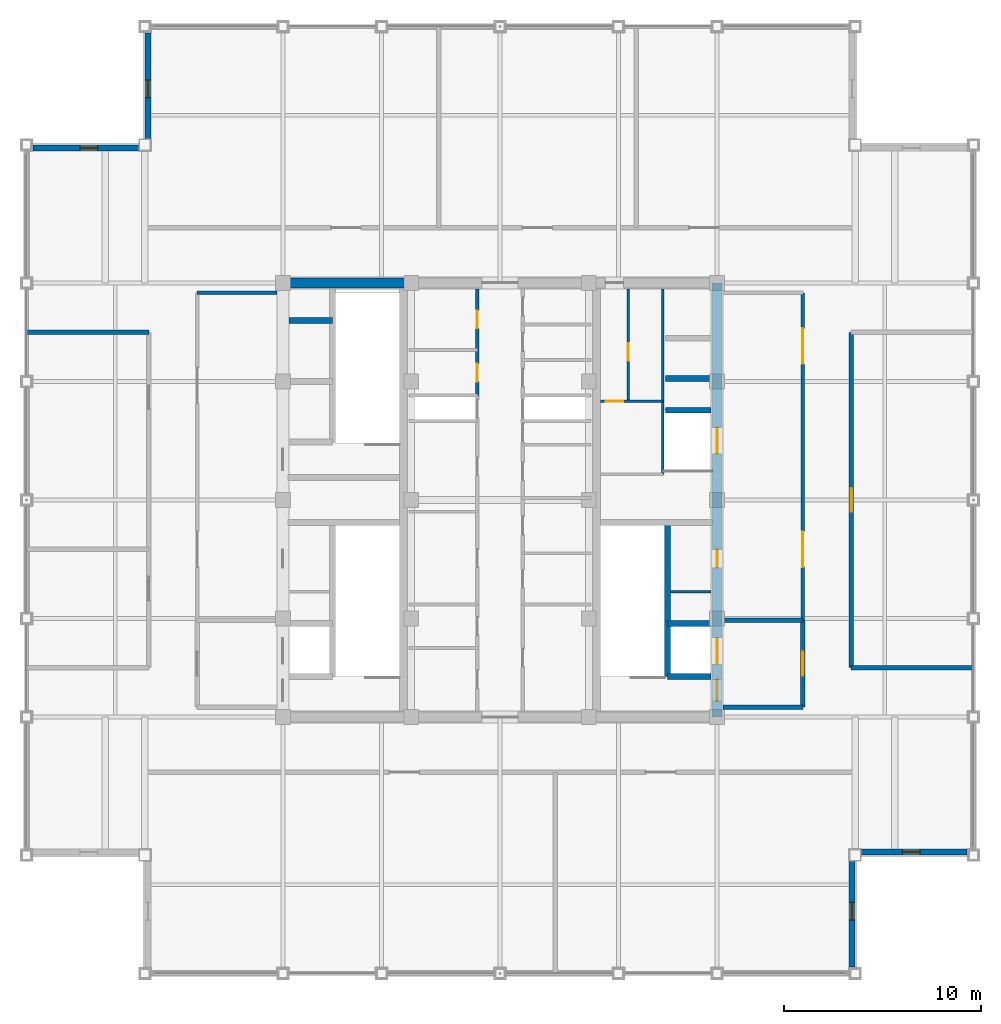
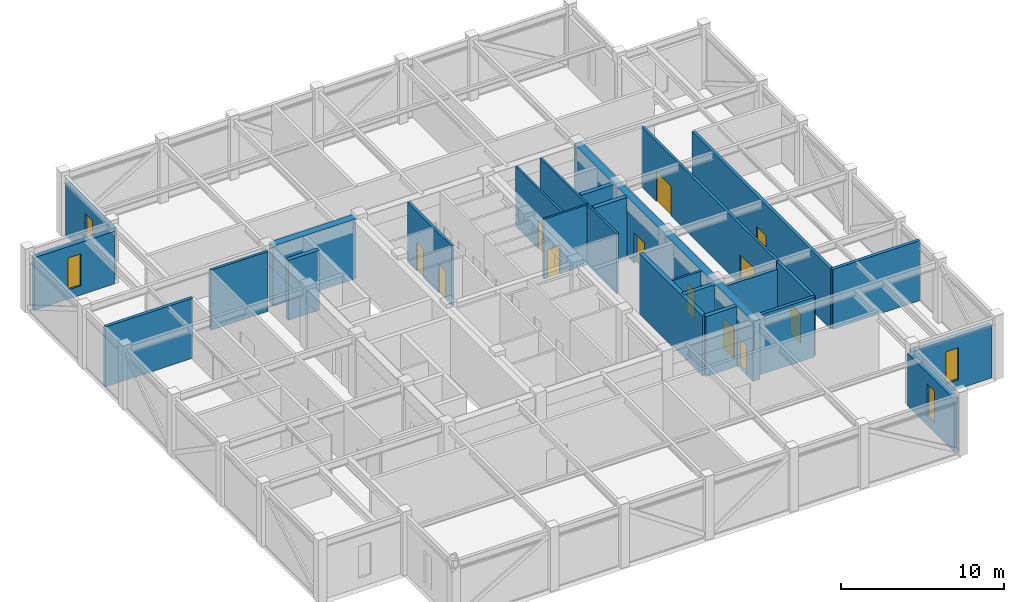
# One storey, part 25 of 27: 25 walls, 12 doors, 4 windows, 16 openings.
"""IFC4 building model written with IfcOpenShell, lengths in metres."""

import ifcopenshell
import ifcopenshell.guid

model = None  # the IFC model being written
_history = None  # IfcOwnerHistory: only IFC2X3 demands one
_inside = {}  # id of a spatial element -> (the spatial element, [elements in it])
_under = {}  # id of a project, library or spatial element -> (it, [spatial elements below it])
_declared = {}  # id of a project -> (the project, [libraries it declares])
_typed = {}  # id of a type object -> (the type object, [elements of that type])
_made_of = {}  # id of a material, layer set ... -> (it, [elements and type objects made of it])


def new_model(schema):
    """Start an empty IFC model of exactly this schema.

    Asked for "IFC4X3", IfcOpenShell would pick the latest addendum, in which some entities
    have other attributes; the version numbers below select the first issue.
    IFC2X3 requires an IfcOwnerHistory on every rooted entity: one is made here for all.
    """
    global model, _history
    if schema == "IFC4X3":
        model = ifcopenshell.file(schema_version=(4, 3, 0, 0))
    else:
        model = ifcopenshell.file(schema=schema)
    _inside.clear()
    _under.clear()
    _declared.clear()
    _typed.clear()
    _made_of.clear()
    _history = None
    if model.schema == "IFC2X3":
        org = make("IfcOrganization", Name="unknown")
        user = make(
            "IfcPersonAndOrganization",
            ThePerson=make("IfcPerson", FamilyName="unknown"),
            TheOrganization=org,
        )
        app = make(
            "IfcApplication",
            ApplicationDeveloper=org,
            Version="unknown",
            ApplicationFullName="unknown",
            ApplicationIdentifier="unknown",
        )
        _history = make(
            "IfcOwnerHistory",
            OwningUser=user,
            OwningApplication=app,
            ChangeAction="ADDED",
            CreationDate=0,
        )
    return model


def make(cls, **values):
    """One entity of the class cls with the attributes given. An attribute that is None is left unset."""
    return model.create_entity(
        cls, **{name: value for name, value in values.items() if value is not None}
    )


def rooted(cls, **values):
    """An entity with a GlobalId (a new one), such as an element, a storey or a relation."""
    return make(cls, GlobalId=ifcopenshell.guid.new(), OwnerHistory=_history, **values)


def si_unit(unit_type, name, prefix=None):
    """IfcSIUnit, for example si_unit("LENGTHUNIT", "METRE", prefix="MILLI")."""
    return make("IfcSIUnit", UnitType=unit_type, Prefix=prefix, Name=name)


def assignment(units):
    """IfcUnitAssignment: the units of a project."""
    return None if units is None else make("IfcUnitAssignment", Units=units)


def point(xyz):
    """IfcCartesianPoint."""
    return None if xyz is None else make("IfcCartesianPoint", Coordinates=xyz)


def direction(xyz):
    """IfcDirection."""
    return None if xyz is None else make("IfcDirection", DirectionRatios=xyz)


def frame(location, z_axis=None, x_axis=None):
    """IfcAxis2Placement3D, a coordinate frame: its origin and axes. An axis left out is left unset."""
    return make(
        "IfcAxis2Placement3D",
        Location=point(location),
        Axis=direction(z_axis),
        RefDirection=direction(x_axis),
    )


def frame_2d(location, x_axis=None):
    """IfcAxis2Placement2D, a coordinate frame in the plane: its origin and x axis."""
    return make(
        "IfcAxis2Placement2D", Location=point(location), RefDirection=direction(x_axis)
    )


def origin():
    """The frame at (0, 0, 0) with its axes left unset."""
    return frame((0.0, 0.0, 0.0))


def place(relative_to, where):
    """IfcLocalPlacement: puts the frame where relative to a parent placement (None: the world)."""
    return make(
        "IfcLocalPlacement", PlacementRelTo=relative_to, RelativePlacement=where
    )


def context(
    kind, dimensions, precision=None, world=None, true_north=None, identifier=None
):
    """IfcGeometricRepresentationContext, for example the 3D "Model" context."""
    return make(
        "IfcGeometricRepresentationContext",
        ContextIdentifier=identifier,
        ContextType=kind,
        CoordinateSpaceDimension=dimensions,
        Precision=precision,
        WorldCoordinateSystem=world,
        TrueNorth=true_north,
    )


def subcontext(parent, identifier, kind, view, scale=None):
    """IfcGeometricRepresentationSubContext, for example "Body" below "Model"."""
    return make(
        "IfcGeometricRepresentationSubContext",
        ContextIdentifier=identifier,
        ContextType=kind,
        ParentContext=parent,
        TargetScale=scale,
        TargetView=view,
    )


def project(units=None, contexts=None):
    """IfcProject with its units and contexts."""
    return rooted(
        "IfcProject",
        Name="project",
        RepresentationContexts=contexts,
        UnitsInContext=assignment(units),
    )


def spatial(cls, under=None, at=None, **own):
    """A site, building, storey or space (cls), placed at a placement, below another one or the project."""
    s = rooted(cls, ObjectPlacement=at, **own)
    if under is not None:
        _under.setdefault(under.id(), (under, []))[1].append(s)
    return s


def profile(cls, at=None, kind="AREA", **sizes):
    """A parametric profile (cls). Its sizes go by their IFC names, for example OverallWidth=200.0."""
    return make(cls, ProfileType=kind, Position=at, **sizes)


def rectangle(**sizes):
    """IfcRectangleProfileDef."""
    return profile("IfcRectangleProfileDef", **sizes)


def extrude(swept, where, along, depth):
    """IfcExtrudedAreaSolid: the profile swept, set in the frame where, extruded along a direction by depth."""
    return make(
        "IfcExtrudedAreaSolid",
        SweptArea=swept,
        Position=where,
        ExtrudedDirection=direction(along),
        Depth=depth,
    )


def shape(context_of_items, identifier, shape_type, items):
    """IfcShapeRepresentation: the items that make up one representation, for example the "Body"."""
    return make(
        "IfcShapeRepresentation",
        ContextOfItems=context_of_items,
        RepresentationIdentifier=identifier,
        RepresentationType=shape_type,
        Items=items,
    )


def source(mapping_origin, context_of_items, identifier, shape_type, items):
    """IfcRepresentationMap: a shape defined once, which mapped items show again and again."""
    return make(
        "IfcRepresentationMap",
        MappingOrigin=mapping_origin,
        MappedRepresentation=shape(context_of_items, identifier, shape_type, items),
    )


def transform(
    local_origin,
    x_axis=None,
    y_axis=None,
    z_axis=None,
    scale=None,
    scale2=None,
    scale3=None,
    uniform=True,
):
    """IfcCartesianTransformationOperator3D, or its non-uniform kind. x_axis, y_axis, z_axis: its Axis1, 2, 3."""
    if uniform:
        return make(
            "IfcCartesianTransformationOperator3D",
            Axis1=direction(x_axis),
            Axis2=direction(y_axis),
            LocalOrigin=point(local_origin),
            Scale=scale,
            Axis3=direction(z_axis),
        )
    return make(
        "IfcCartesianTransformationOperator3DnonUniform",
        Axis1=direction(x_axis),
        Axis2=direction(y_axis),
        LocalOrigin=point(local_origin),
        Scale=scale,
        Axis3=direction(z_axis),
        Scale2=scale2,
        Scale3=scale3,
    )


def mapped(mapping_source, mapping_target):
    """IfcMappedItem: shows the shape of a source again, moved by a transform."""
    return make(
        "IfcMappedItem", MappingSource=mapping_source, MappingTarget=mapping_target
    )


def material(Name=None, Category=None):
    """IfcMaterial."""
    return make("IfcMaterial", Name=Name, Category=Category)


def layer(
    of_material, thickness, ventilated=None, Name=None, Category=None, Priority=None
):
    """IfcMaterialLayer: one layer of a wall or slab, of a material (None: an air gap)."""
    return make(
        "IfcMaterialLayer",
        Material=of_material,
        LayerThickness=thickness,
        IsVentilated=ventilated,
        Name=Name,
        Category=Category,
        Priority=Priority,
    )


def layer_set(layers, Name=None):
    """IfcMaterialLayerSet."""
    return make("IfcMaterialLayerSet", MaterialLayers=layers, LayerSetName=Name)


def made_of(thing, what):
    """Note that an element or type object is made of a material, layer set ...; save() writes the relation."""
    if what is not None:
        _made_of.setdefault(what.id(), (what, []))[1].append(thing)
    return thing


def type_object(cls, material=None, **own):
    """A type object (cls), such as IfcWallType, which elements share."""
    return made_of(rooted(cls, **own), material)


def element(
    cls,
    number,
    at=None,
    inside=None,
    cuts=None,
    type_object=None,
    material=None,
    context=None,
    identifier="Body",
    shape_type=None,
    held_by="IfcProductDefinitionShape",
    body=None,
    shapes=None,
    **own,
):
    """One element of the class cls, such as IfcWall. Its Tag is "e" and its number.

    at: its placement. inside: the storey or other place that contains it. cuts: it is an
    opening in that element (IfcRelVoidsElement). A single representation is given by context,
    identifier, shape_type and body (its items); several are given by shapes. held_by: the class
    of the entity that holds the representations. save() writes the other relations.
    """
    e = rooted(cls, Tag="e%d" % number, ObjectPlacement=at, **own)
    if body is not None:
        shapes = [shape(context, identifier, shape_type, body)]
    if shapes is not None:
        e.Representation = make(held_by, Representations=shapes)
    if inside is not None:
        _inside.setdefault(inside.id(), (inside, []))[1].append(e)
    if cuts is not None:
        rooted(
            "IfcRelVoidsElement", RelatingBuildingElement=cuts, RelatedOpeningElement=e
        )
    if type_object is not None:
        _typed.setdefault(type_object.id(), (type_object, []))[1].append(e)
    return made_of(e, material)


def fill(opening, filler):
    """IfcRelFillsElement: the door or window that sits in an opening."""
    return rooted(
        "IfcRelFillsElement",
        RelatingOpeningElement=opening,
        RelatedBuildingElement=filler,
    )


def aggregate(whole, parts):
    """IfcRelAggregates: a whole, such as a stair, and the parts it consists of."""
    return rooted("IfcRelAggregates", RelatingObject=whole, RelatedObjects=parts)


def save(model, path):
    """Write the relations noted so far, then the file.

    IfcRelAggregates (storeys below a building ...), IfcRelContainedInSpatialStructure (elements
    in a storey), IfcRelDefinesByType, IfcRelAssociatesMaterial and IfcRelDeclares: one each for
    every whole, place, type object, material and project.
    """
    for whole, parts in _under.values():
        aggregate(whole, parts)
    for where, things in _inside.values():
        rooted(
            "IfcRelContainedInSpatialStructure",
            RelatedElements=things,
            RelatingStructure=where,
        )
    for kind, things in _typed.values():
        rooted("IfcRelDefinesByType", RelatedObjects=things, RelatingType=kind)
    for what, things in _made_of.values():
        rooted("IfcRelAssociatesMaterial", RelatedObjects=things, RelatingMaterial=what)
    for by, libraries in _declared.values():
        rooted("IfcRelDeclares", RelatingContext=by, RelatedDefinitions=libraries)
    model.write(path)


model = new_model("IFC4")

# Units and contexts
model_context = context("Model", 3, precision=1e-05, world=origin(), true_north=direction((0.0, 1.0)))
body_context = subcontext(model_context, "Body", "Model", "MODEL_VIEW")
ifc_project = project(units=[si_unit("LENGTHUNIT", "METRE"), si_unit("AREAUNIT", "SQUARE_METRE"), si_unit("VOLUMEUNIT", "CUBIC_METRE"), si_unit("PLANEANGLEUNIT", "RADIAN"), si_unit("MASSUNIT", "GRAM", prefix="KILO")], contexts=[model_context])

# Site, building, storey
site_placement = place(None, origin())
site = spatial("IfcSite", under=ifc_project, at=site_placement, CompositionType="ELEMENT")
building_placement = place(site_placement, origin())
building = spatial("IfcBuilding", under=site, at=building_placement, Name="Khorayat Bourse Tower", CompositionType="ELEMENT")
storey_placement = place(building_placement, frame((0.0, 0.0, 399.5)))
storey = spatial("IfcBuildingStorey", under=building, at=storey_placement, Name="L94", CompositionType="ELEMENT", Elevation=399.5)

# Wall, openings, doors
ifc_material_1 = material(Name="Concrete C52/65", Category="concrete")
ifc_layer_1 = layer(ifc_material_1, 0.5)
ifc_layer_set_1 = layer_set([ifc_layer_1], Name="Concrete C52/65")
wall_type_1 = type_object("IfcWallType", Name="WAL-CORE-500", PredefinedType="SHEAR", material=ifc_layer_set_1)
shared_shape_1 = source(origin(), body_context, "Body", "SweptSolid", [
    extrude(rectangle(XDim=22.0, YDim=0.5, at=frame_2d((11.0, 0.0))), origin(), (0.0, 0.0, 1.0), 4.5),
])
wall_1_placement = place(storey_placement, frame((11.0, -11.0, 0.0), z_axis=(0.0, 0.0, 1.0), x_axis=(0.0, 1.0, 0.0)))
wall_1 = element("IfcWall", 1, at=wall_1_placement, inside=storey, type_object=wall_type_1, Name="L94 Core Shear Wall CORE-E", PredefinedType="SHEAR", context=body_context, shape_type="MappedRepresentation", body=[
    mapped(shared_shape_1, transform((0.0, 0.0, 0.0), scale=1.0)),
])
shared_shape_2 = source(origin(), body_context, "Body", "SweptSolid", [
    extrude(rectangle(XDim=1.10009765625, YDim=2.199951171875, at=frame_2d((0.550048828125, 1.10009765625))), frame((0.0, 0.260009765625, 0.0), z_axis=(0.0, -1.0, 0.0), x_axis=(1.0, 0.0, 0.0)), (0.0, 0.0, 1.0), 0.52001953125),
])
opening_1_placement = place(wall_1_placement, frame((0.800048828125, 0.0, 0.0)))
opening_1 = element("IfcOpeningElement", 2, at=opening_1_placement, cuts=wall_1, Name="Opening DI-01", PredefinedType="OPENING", context=body_context, shape_type="MappedRepresentation", body=[
    mapped(shared_shape_2, transform((0.0, 0.0, 0.0), scale=1.0)),
])
shared_shape_3 = source(origin(), body_context, "Body", "SweptSolid", [
    extrude(rectangle(XDim=0.89990234375, YDim=2.14990234375, at=frame_2d((0.449951171875, 1.074951171875))), frame((0.0, 0.260009765625, 0.0), z_axis=(0.0, -1.0, 0.0), x_axis=(1.0, 0.0, 0.0)), (0.0, 0.0, 1.0), 0.52001953125),
])
opening_2_placement = place(wall_1_placement, frame((7.574951171875, 0.0, 0.0)))
opening_2 = element("IfcOpeningElement", 3, at=opening_2_placement, cuts=wall_1, Name="Opening DI-06", PredefinedType="OPENING", context=body_context, shape_type="MappedRepresentation", body=[
    mapped(shared_shape_3, transform((0.0, 0.0, 0.0), scale=1.0)),
])
shared_shape_4 = source(origin(), body_context, "Body", "SweptSolid", [
    extrude(rectangle(XDim=1.300048828125, YDim=2.300048828125, at=frame_2d((0.64990234375, 1.14990234375))), frame((0.0, 0.260009765625, 0.0), z_axis=(0.0, -1.0, 0.0), x_axis=(1.0, 0.0, 0.0)), (0.0, 0.0, 1.0), 0.52001953125),
])
opening_3_placement = place(wall_1_placement, frame((2.699951171875, 0.0, 0.0)))
opening_3 = element("IfcOpeningElement", 4, at=opening_3_placement, cuts=wall_1, Name="Opening LD-02", PredefinedType="OPENING", context=body_context, shape_type="MappedRepresentation", body=[
    mapped(shared_shape_4, transform((0.0, 0.0, 0.0), scale=1.0)),
])
opening_4_placement = place(wall_1_placement, frame((13.35009765625, 0.0, 0.0)))
opening_4 = element("IfcOpeningElement", 5, at=opening_4_placement, cuts=wall_1, Name="Opening LD-02", PredefinedType="OPENING", context=body_context, shape_type="MappedRepresentation", body=[
    mapped(shared_shape_4, transform((0.0, 0.0, 0.0), scale=1.0)),
])
ifc_material_2 = material(Name="Fire-rated steel acoustic leaf", Category="steel")
door_type_1 = type_object("IfcDoorType", Name="DR-INT-STAIR-1100", OperationType="NOTDEFINED", PredefinedType="DOOR", material=ifc_material_2)
shared_shape_5 = source(origin(), body_context, "Body", "SweptSolid", [
    extrude(rectangle(XDim=1.10009765625, YDim=2.199951171875, at=frame_2d((0.550048828125, 1.10009765625))), frame((0.0, 0.02490234375, 0.0), z_axis=(0.0, -1.0, 0.0), x_axis=(1.0, 0.0, 0.0)), (0.0, 0.0, 1.0), 0.050048828125),
])
door_1_placement = place(opening_1_placement, origin())
door_1 = element("IfcDoor", 6, at=door_1_placement, inside=storey, type_object=door_type_1, Name="L94 Exit Stair 3 Door", OperationType="SINGLE_SWING_LEFT", OverallHeight=2.199951171875, OverallWidth=1.10009765625, PredefinedType="DOOR", context=body_context, shape_type="MappedRepresentation", body=[
    mapped(shared_shape_5, transform((0.0, 0.0, 0.0), scale=1.0)),
])
fill(opening_1, door_1)
ifc_material_3 = material(Name="Moisture-resistant laminate washroom door")
door_type_2 = type_object("IfcDoorType", Name="DR-INT-WC-900", OperationType="NOTDEFINED", PredefinedType="DOOR", material=ifc_material_3)
shared_shape_6 = source(origin(), body_context, "Body", "SweptSolid", [
    extrude(rectangle(XDim=0.89990234375, YDim=2.14990234375, at=frame_2d((0.449951171875, 1.074951171875))), frame((0.0, 0.02490234375, 0.0), z_axis=(0.0, -1.0, 0.0), x_axis=(1.0, 0.0, 0.0)), (0.0, 0.0, 1.0), 0.050048828125),
])
door_2_placement = place(opening_2_placement, origin())
door_2 = element("IfcDoor", 7, at=door_2_placement, inside=storey, type_object=door_type_2, Name="L94 Fiber Server Plant Room Door", OperationType="SINGLE_SWING_LEFT", OverallHeight=2.14990234375, OverallWidth=0.89990234375, PredefinedType="DOOR", context=body_context, shape_type="MappedRepresentation", body=[
    mapped(shared_shape_6, transform((0.0, 0.0, 0.0), scale=1.0)),
])
fill(opening_2, door_2)
ifc_material_4 = material(Name="Fire-rated stainless-steel sliding landing door", Category="steel")
door_type_3 = type_object("IfcDoorType", Name="DR-LIFT-FF-1300", OperationType="NOTDEFINED", PredefinedType="DOOR", material=ifc_material_4)
shared_shape_7 = source(origin(), body_context, "Body", "SweptSolid", [
    extrude(rectangle(XDim=1.300048828125, YDim=2.300048828125, at=frame_2d((0.64990234375, 1.14990234375))), frame((0.0, 0.02490234375, 0.0), z_axis=(0.0, -1.0, 0.0), x_axis=(1.0, 0.0, 0.0)), (0.0, 0.0, 1.0), 0.050048828125),
])
door_3_placement = place(opening_3_placement, origin())
door_3 = element("IfcDoor", 8, at=door_3_placement, inside=storey, type_object=door_type_3, Name="L94 Lift FFL-02 Sliding Landing Door", OperationType="SLIDING_TO_LEFT", OverallHeight=2.300048828125, OverallWidth=1.300048828125, PredefinedType="DOOR", context=body_context, shape_type="MappedRepresentation", body=[
    mapped(shared_shape_7, transform((0.0, 0.0, 0.0), scale=1.0)),
])
fill(opening_3, door_3)
door_4_placement = place(opening_4_placement, origin())
door_4 = element("IfcDoor", 9, at=door_4_placement, inside=storey, type_object=door_type_3, Name="L94 Lift SVL-01 Sliding Landing Door", OperationType="SLIDING_TO_LEFT", OverallHeight=2.300048828125, OverallWidth=1.300048828125, PredefinedType="DOOR", context=body_context, shape_type="MappedRepresentation", body=[
    mapped(shared_shape_7, transform((0.0, 0.0, 0.0), scale=1.0)),
])
fill(opening_4, door_4)

# Wall
shared_shape_8 = source(origin(), body_context, "Body", "SweptSolid", [
    extrude(rectangle(XDim=5.89990234375, YDim=0.5, at=frame_2d((2.949951171875, 0.0))), origin(), (0.0, 0.0, 1.0), 4.5),
])
wall_2_placement = place(storey_placement, frame((-10.75, 11.0, 0.0), z_axis=(0.0, 0.0, 1.0), x_axis=(1.0, 0.0, 0.0)))
element("IfcWall", 10, at=wall_2_placement, inside=storey, type_object=wall_type_1, Name="L94 Core Shear Wall PIER-WN", PredefinedType="SHEAR", context=body_context, shape_type="MappedRepresentation", body=[
    mapped(shared_shape_8, transform((0.0, 0.0, 0.0), scale=1.0)),
])

# Wall, opening, window
ifc_material_5 = material(Name="Precast concrete C45/55", Category="concrete")
ifc_layer_2 = layer(ifc_material_5, 0.320068359375)
ifc_layer_set_2 = layer_set([ifc_layer_2], Name="Precast concrete C45/55")
wall_type_2 = type_object("IfcWallType", Name="WAL-EXT-STONE-320", PredefinedType="STANDARD", material=ifc_layer_set_2)
shared_shape_9 = source(origin(), body_context, "Body", "SweptSolid", [
    extrude(rectangle(XDim=5.679931640625, YDim=0.320068359375, at=frame_2d((2.83984375, 0.0))), origin(), (0.0, 0.0, 1.0), 3.950927734375),
])
wall_3_placement = place(storey_placement, frame((17.840087890625, -23.679931640625, 0.0), z_axis=(0.0, 0.0, 1.0), x_axis=(0.0, 1.0, 0.0)))
wall_3 = element("IfcWall", 11, at=wall_3_placement, inside=storey, type_object=wall_type_2, Name="L94 Re-Entrant Notch Limestone Wall SE-V", PredefinedType="STANDARD", context=body_context, shape_type="MappedRepresentation", body=[
    mapped(shared_shape_9, transform((0.0, 0.0, 0.0), scale=1.0)),
])
shared_shape_10 = source(origin(), body_context, "Body", "SweptSolid", [
    extrude(rectangle(XDim=0.89990234375, YDim=2.39990234375, at=frame_2d((0.449951171875, 1.199951171875))), frame((0.0, 0.169921875, 0.0), z_axis=(0.0, -1.0, 0.0), x_axis=(1.0, 0.0, 0.0)), (0.0, 0.0, 1.0), 0.340087890625),
])
opening_5_placement = place(wall_3_placement, frame((2.389892578125, 0.0, 0.699951171875)))
opening_5 = element("IfcOpeningElement", 12, at=opening_5_placement, cuts=wall_3, Name="Opening WN-03", PredefinedType="OPENING", context=body_context, shape_type="MappedRepresentation", body=[
    mapped(shared_shape_10, transform((0.0, 0.0, 0.0), scale=1.0)),
])
ifc_material_6 = material(Name="Deep-reveal solar-control double glazing", Category="glass")
window_type = type_object("IfcWindowType", Name="WIN-SLOT-900x2400", PartitioningType="SINGLE_PANEL", PredefinedType="WINDOW", material=ifc_material_6)
shared_shape_11 = source(origin(), body_context, "Body", "SweptSolid", [
    extrude(rectangle(XDim=0.89990234375, YDim=2.39990234375, at=frame_2d((0.449951171875, 1.199951171875))), frame((0.0, 0.030029296875, 0.0), z_axis=(0.0, -1.0, 0.0), x_axis=(1.0, 0.0, 0.0)), (0.0, 0.0, 1.0), 0.06005859375),
])
window_1_placement = place(opening_5_placement, origin())
window_1 = element("IfcWindow", 13, at=window_1_placement, inside=storey, type_object=window_type, Name="L94 Facade Window 1", OverallHeight=2.39990234375, OverallWidth=0.89990234375, PartitioningType="SINGLE_PANEL", PredefinedType="WINDOW", context=body_context, shape_type="MappedRepresentation", body=[
    mapped(shared_shape_11, transform((0.0, 0.0, 0.0), scale=1.0)),
])
fill(opening_5, window_1)

wall_4_placement = place(storey_placement, frame((18.0, -17.840087890625, 0.0), z_axis=(0.0, 0.0, 1.0), x_axis=(1.0, 0.0, 0.0)))
wall_4 = element("IfcWall", 14, at=wall_4_placement, inside=storey, type_object=wall_type_2, Name="L94 Re-Entrant Notch Limestone Wall SE-H", PredefinedType="STANDARD", context=body_context, shape_type="MappedRepresentation", body=[
    mapped(shared_shape_9, transform((0.0, 0.0, 0.0), scale=1.0)),
])
opening_6_placement = place(wall_4_placement, frame((2.389892578125, 0.0, 0.699951171875)))
opening_6 = element("IfcOpeningElement", 15, at=opening_6_placement, cuts=wall_4, Name="Opening WN-03", PredefinedType="OPENING", context=body_context, shape_type="MappedRepresentation", body=[
    mapped(shared_shape_10, transform((0.0, 0.0, 0.0), scale=1.0)),
])
window_2_placement = place(opening_6_placement, origin())
window_2 = element("IfcWindow", 16, at=window_2_placement, inside=storey, type_object=window_type, Name="L94 Facade Window 1", OverallHeight=2.39990234375, OverallWidth=0.89990234375, PartitioningType="SINGLE_PANEL", PredefinedType="WINDOW", context=body_context, shape_type="MappedRepresentation", body=[
    mapped(shared_shape_11, transform((0.0, 0.0, 0.0), scale=1.0)),
])
fill(opening_6, window_2)

wall_5_placement = place(storey_placement, frame((-17.840087890625, 18.0, 0.0), z_axis=(0.0, 0.0, 1.0), x_axis=(0.0, 1.0, 0.0)))
wall_5 = element("IfcWall", 17, at=wall_5_placement, inside=storey, type_object=wall_type_2, Name="L94 Re-Entrant Notch Limestone Wall NW-V", PredefinedType="STANDARD", context=body_context, shape_type="MappedRepresentation", body=[
    mapped(shared_shape_9, transform((0.0, 0.0, 0.0), scale=1.0)),
])
opening_7_placement = place(wall_5_placement, frame((2.389892578125, 0.0, 0.699951171875)))
opening_7 = element("IfcOpeningElement", 18, at=opening_7_placement, cuts=wall_5, Name="Opening WN-03", PredefinedType="OPENING", context=body_context, shape_type="MappedRepresentation", body=[
    mapped(shared_shape_10, transform((0.0, 0.0, 0.0), scale=1.0)),
])
window_3_placement = place(opening_7_placement, origin())
window_3 = element("IfcWindow", 19, at=window_3_placement, inside=storey, type_object=window_type, Name="L94 Facade Window 1", OverallHeight=2.39990234375, OverallWidth=0.89990234375, PartitioningType="SINGLE_PANEL", PredefinedType="WINDOW", context=body_context, shape_type="MappedRepresentation", body=[
    mapped(shared_shape_11, transform((0.0, 0.0, 0.0), scale=1.0)),
])
fill(opening_7, window_3)

wall_6_placement = place(storey_placement, frame((-18.0, 17.840087890625, 0.0), z_axis=(0.0, 0.0, 1.0), x_axis=(-1.0, 0.0, 0.0)))
wall_6 = element("IfcWall", 20, at=wall_6_placement, inside=storey, type_object=wall_type_2, Name="L94 Re-Entrant Notch Limestone Wall NW-H", PredefinedType="STANDARD", context=body_context, shape_type="MappedRepresentation", body=[
    mapped(shared_shape_9, transform((0.0, 0.0, 0.0), scale=1.0)),
])
opening_8_placement = place(wall_6_placement, frame((2.389892578125, 0.0, 0.699951171875)))
opening_8 = element("IfcOpeningElement", 21, at=opening_8_placement, cuts=wall_6, Name="Opening WN-03", PredefinedType="OPENING", context=body_context, shape_type="MappedRepresentation", body=[
    mapped(shared_shape_10, transform((0.0, 0.0, 0.0), scale=1.0)),
])
window_4_placement = place(opening_8_placement, origin())
window_4 = element("IfcWindow", 22, at=window_4_placement, inside=storey, type_object=window_type, Name="L94 Facade Window 1", OverallHeight=2.39990234375, OverallWidth=0.89990234375, PartitioningType="SINGLE_PANEL", PredefinedType="WINDOW", context=body_context, shape_type="MappedRepresentation", body=[
    mapped(shared_shape_11, transform((0.0, 0.0, 0.0), scale=1.0)),
])
fill(opening_8, window_4)

# Walls
ifc_material_7 = material(Name="Concrete C50/60", Category="concrete")
ifc_layer_3 = layer(ifc_material_7, 0.300048828125)
ifc_layer_set_3 = layer_set([ifc_layer_3], Name="Concrete C50/60")
wall_type_3 = type_object("IfcWallType", Name="WAL-SHAFT-300", PredefinedType="SHEAR", material=ifc_layer_set_3)
shared_shape_12 = source(origin(), body_context, "Body", "SweptSolid", [
    extrude(rectangle(XDim=7.800048828125, YDim=0.300048828125, at=frame_2d((3.89990234375, 0.0))), origin(), (0.0, 0.0, 1.0), 4.5),
])
wall_7_placement = place(storey_placement, frame((8.5, -8.949951171875, 0.0), z_axis=(0.0, 0.0, 1.0), x_axis=(0.0, 1.0, 0.0)))
element("IfcWall", 23, at=wall_7_placement, inside=storey, type_object=wall_type_3, Name="L94 Partition WAL-L94-EPIER-SP", PredefinedType="SHEAR", context=body_context, shape_type="MappedRepresentation", body=[
    mapped(shared_shape_12, transform((0.0, 0.0, 0.0), scale=1.0)),
])
shared_shape_13 = source(origin(), body_context, "Body", "SweptSolid", [
    extrude(rectangle(XDim=2.199951171875, YDim=0.300048828125, at=frame_2d((1.10009765625, 0.0))), origin(), (0.0, 0.0, 1.0), 4.5),
])
for number, where, z_axis, x_axis, name in (
    (24, (-10.699951171875, 9.10009765625, 0.0), (0.0, 0.0, 1.0), (1.0, 0.0, 0.0), "L94 Partition WAL-L94-WPIER-H2N"),
    (25, (8.5, -8.949951171875, 0.0), (0.0, 0.0, 1.0), (1.0, 0.0, 0.0), "L94 Partition WAL-L94-EPIER-FF2S"),
    (26, (8.5, -6.25, 0.0), (0.0, 0.0, 1.0), (1.0, 0.0, 0.0), "L94 Partition WAL-L94-EPIER-FF2N"),
):
    element("IfcWall", number, at=place(storey_placement, frame(where, z_axis=z_axis, x_axis=x_axis)), inside=storey, type_object=wall_type_3, Name=name, PredefinedType="SHEAR", context=body_context, shape_type="MappedRepresentation", body=[
        mapped(shared_shape_13, transform((0.0, 0.0, 0.0), scale=1.0)),
    ])
shared_shape_14 = source(origin(), body_context, "Body", "SweptSolid", [
    extrude(rectangle(XDim=2.300048828125, YDim=0.300048828125, at=frame_2d((1.14990234375, 0.0))), origin(), (0.0, 0.0, 1.0), 4.5),
])
for number, where, z_axis, x_axis, name in (
    (27, (8.39990234375, 4.550048828125, 0.0), (0.0, 0.0, 1.0), (1.0, 0.0, 0.0), "L94 Partition WAL-L94-EPIER-SVLN"),
    (28, (8.39990234375, 6.14990234375, 0.0), (0.0, 0.0, 1.0), (1.0, 0.0, 0.0), "L94 Partition WAL-L94-EPIER-H3S"),
):
    element("IfcWall", number, at=place(storey_placement, frame(where, z_axis=z_axis, x_axis=x_axis)), inside=storey, type_object=wall_type_3, Name=name, PredefinedType="SHEAR", context=body_context, shape_type="MappedRepresentation", body=[
        mapped(shared_shape_14, transform((0.0, 0.0, 0.0), scale=1.0)),
    ])
ifc_material_8 = material(Name="Gypsum plasterboard twin-frame partition")
ifc_layer_4 = layer(ifc_material_8, 0.14990234375)
ifc_layer_set_4 = layer_set([ifc_layer_4], Name="Gypsum plasterboard twin-frame partition")
wall_type_4 = type_object("IfcWallType", Name="WAL-PART-SUITE-150", PredefinedType="PARTITIONING", material=ifc_layer_set_4)
shared_shape_15 = source(origin(), body_context, "Body", "SweptSolid", [
    extrude(rectangle(XDim=2.050048828125, YDim=0.14990234375, at=frame_2d((1.02490234375, 0.0))), origin(), (0.0, 0.0, 1.0), 4.5),
])
wall_8_placement = place(storey_placement, frame((8.64990234375, -4.64990234375, 0.0), z_axis=(0.0, 0.0, 1.0), x_axis=(1.0, 0.0, 0.0)))
element("IfcWall", 29, at=wall_8_placement, inside=storey, type_object=wall_type_4, Name="L94 Partition WAL-L94-ESRV-S0", PredefinedType="PARTITIONING", context=body_context, shape_type="MappedRepresentation", body=[
    mapped(shared_shape_15, transform((0.0, 0.0, 0.0), scale=1.0)),
])
ifc_material_9 = material(Name="Moisture-resistant masonry partition", Category="masonry")
ifc_layer_5 = layer(ifc_material_9, 0.139892578125)
ifc_layer_set_5 = layer_set([ifc_layer_5], Name="Moisture-resistant masonry partition")
wall_type_5 = type_object("IfcWallType", Name="WAL-PART-WET-140", PredefinedType="PARTITIONING", material=ifc_layer_set_5)
shared_shape_16 = source(origin(), body_context, "Body", "SweptSolid", [
    extrude(rectangle(XDim=9.39990234375, YDim=0.139892578125, at=frame_2d((4.699951171875, 0.0))), origin(), (0.0, 0.0, 1.0), 4.5),
])
wall_9_placement = place(storey_placement, frame((8.25, 1.300048828125, 0.0), z_axis=(0.0, 0.0, 1.0), x_axis=(0.0, 1.0, 0.0)))
element("IfcWall", 30, at=wall_9_placement, inside=storey, type_object=wall_type_5, Name="L94 Partition WAL-L94-ECORE-E", PredefinedType="PARTITIONING", context=body_context, shape_type="MappedRepresentation", body=[
    mapped(shared_shape_16, transform((0.0, 0.0, 0.0), scale=1.0)),
])

# Wall, opening, door
shared_shape_17 = source(origin(), body_context, "Body", "SweptSolid", [
    extrude(rectangle(XDim=3.14990234375, YDim=0.139892578125, at=frame_2d((1.574951171875, 0.0))), origin(), (0.0, 0.0, 1.0), 4.5),
])
wall_10_placement = place(storey_placement, frame((5.10009765625, 5.0, 0.0), z_axis=(0.0, 0.0, 1.0), x_axis=(1.0, 0.0, 0.0)))
wall_10 = element("IfcWall", 31, at=wall_10_placement, inside=storey, type_object=wall_type_5, Name="L94 Partition WAL-L94-ECW-BOT", PredefinedType="PARTITIONING", context=body_context, shape_type="MappedRepresentation", body=[
    mapped(shared_shape_17, transform((0.0, 0.0, 0.0), scale=1.0)),
])
shared_shape_18 = source(origin(), body_context, "Body", "SweptSolid", [
    extrude(rectangle(XDim=0.89990234375, YDim=2.14990234375, at=frame_2d((0.449951171875, 1.074951171875))), frame((0.0, 0.079833984375, 0.0), z_axis=(0.0, -1.0, 0.0), x_axis=(1.0, 0.0, 0.0)), (0.0, 0.0, 1.0), 0.159912109375),
])
opening_9_placement = place(wall_10_placement, frame((0.25, 0.0, 0.0)))
opening_9 = element("IfcOpeningElement", 32, at=opening_9_placement, cuts=wall_10, Name="Opening DI-06", PredefinedType="OPENING", context=body_context, shape_type="MappedRepresentation", body=[
    mapped(shared_shape_18, transform((0.0, 0.0, 0.0), scale=1.0)),
])
door_5_placement = place(opening_9_placement, origin())
door_5 = element("IfcDoor", 33, at=door_5_placement, inside=storey, type_object=door_type_2, Name="L94 Shared Washroom Door", OperationType="SINGLE_SWING_LEFT", OverallHeight=2.14990234375, OverallWidth=0.89990234375, PredefinedType="DOOR", context=body_context, shape_type="MappedRepresentation", body=[
    mapped(shared_shape_6, transform((0.0, 0.0, 0.0), scale=1.0)),
])
fill(opening_9, door_5)

shared_shape_19 = source(origin(), body_context, "Body", "SweptSolid", [
    extrude(rectangle(XDim=5.699951171875, YDim=0.139892578125, at=frame_2d((2.85009765625, 0.0))), origin(), (0.0, 0.0, 1.0), 4.5),
])
wall_11_placement = place(storey_placement, frame((6.5, 5.0, 0.0), z_axis=(0.0, 0.0, 1.0), x_axis=(0.0, 1.0, 0.0)))
wall_11 = element("IfcWall", 34, at=wall_11_placement, inside=storey, type_object=wall_type_5, Name="L94 Partition WAL-L94-ECW-MID", PredefinedType="PARTITIONING", context=body_context, shape_type="MappedRepresentation", body=[
    mapped(shared_shape_19, transform((0.0, 0.0, 0.0), scale=1.0)),
])
opening_10_placement = place(wall_11_placement, frame((2.050048828125, 0.0, 0.0)))
opening_10 = element("IfcOpeningElement", 35, at=opening_10_placement, cuts=wall_11, Name="Opening DI-06", PredefinedType="OPENING", context=body_context, shape_type="MappedRepresentation", body=[
    mapped(shared_shape_18, transform((0.0, 0.0, 0.0), scale=1.0)),
])
door_6_placement = place(opening_10_placement, origin())
door_6 = element("IfcDoor", 36, at=door_6_placement, inside=storey, type_object=door_type_2, Name="L94 Accessible WC Door", OperationType="SINGLE_SWING_RIGHT", OverallHeight=2.14990234375, OverallWidth=0.89990234375, PredefinedType="DOOR", context=body_context, shape_type="MappedRepresentation", body=[
    mapped(shared_shape_6, transform((0.0, 0.0, 0.0), scale=1.0)),
])
fill(opening_10, door_6)

# Walls
ifc_material_10 = material(Name="Aerated concrete blockwork", Category="masonry")
ifc_layer_6 = layer(ifc_material_10, 0.219970703125)
ifc_layer_set_6 = layer_set([ifc_layer_6], Name="Aerated concrete blockwork")
wall_type_6 = type_object("IfcWallType", Name="WAL-PART-FF-220", PredefinedType="PARTITIONING", material=ifc_layer_set_6)
shared_shape_20 = source(origin(), body_context, "Body", "SweptSolid", [
    extrude(rectangle(XDim=4.050048828125, YDim=0.219970703125, at=frame_2d((2.02490234375, 0.0))), origin(), (0.0, 0.0, 1.0), 4.5),
])
wall_12_placement = place(storey_placement, frame((11.300048828125, -10.5, 0.0), z_axis=(0.0, 0.0, 1.0), x_axis=(1.0, 0.0, 0.0)))
element("IfcWall", 37, at=wall_12_placement, inside=storey, type_object=wall_type_6, Name="L94 Partition WAL-L94-FFLE-S", PredefinedType="PARTITIONING", context=body_context, shape_type="MappedRepresentation", body=[
    mapped(shared_shape_20, transform((0.0, 0.0, 0.0), scale=1.0)),
])
shared_shape_21 = source(origin(), body_context, "Body", "SweptSolid", [
    extrude(rectangle(XDim=4.050048828125, YDim=0.219970703125, at=frame_2d((2.02490234375, 0.0))), origin(), (0.0, 0.0, 1.0), 3.950927734375),
])
wall_13_placement = place(storey_placement, frame((11.300048828125, -6.10009765625, 0.0), z_axis=(0.0, 0.0, 1.0), x_axis=(1.0, 0.0, 0.0)))
element("IfcWall", 38, at=wall_13_placement, inside=storey, type_object=wall_type_6, Name="L94 Partition WAL-L94-FFLE-N", PredefinedType="PARTITIONING", context=body_context, shape_type="MappedRepresentation", body=[
    mapped(shared_shape_21, transform((0.0, 0.0, 0.0), scale=1.0)),
])

# Wall, opening, door
shared_shape_22 = source(origin(), body_context, "Body", "SweptSolid", [
    extrude(rectangle(XDim=4.39990234375, YDim=0.219970703125, at=frame_2d((2.199951171875, 0.0))), origin(), (0.0, 0.0, 1.0), 4.5),
])
wall_14_placement = place(storey_placement, frame((15.35009765625, -10.5, 0.0), z_axis=(0.0, 0.0, 1.0), x_axis=(0.0, 1.0, 0.0)))
wall_14 = element("IfcWall", 39, at=wall_14_placement, inside=storey, type_object=wall_type_6, Name="L94 Partition WAL-L94-FFLE-E", PredefinedType="PARTITIONING", context=body_context, shape_type="MappedRepresentation", body=[
    mapped(shared_shape_22, transform((0.0, 0.0, 0.0), scale=1.0)),
])
shared_shape_23 = source(origin(), body_context, "Body", "SweptSolid", [
    extrude(rectangle(XDim=1.199951171875, YDim=2.199951171875, at=frame_2d((0.60009765625, 1.10009765625))), frame((0.0, 0.119873046875, 0.0), z_axis=(0.0, -1.0, 0.0), x_axis=(1.0, 0.0, 0.0)), (0.0, 0.0, 1.0), 0.239990234375),
])
opening_11_placement = place(wall_14_placement, frame((1.60009765625, 0.0, 0.0)))
opening_11 = element("IfcOpeningElement", 40, at=opening_11_placement, cuts=wall_14, Name="Opening DI-02", PredefinedType="OPENING", context=body_context, shape_type="MappedRepresentation", body=[
    mapped(shared_shape_23, transform((0.0, 0.0, 0.0), scale=1.0)),
])
ifc_material_11 = material(Name="Fire-rated steel double-seal leaf", Category="steel")
door_type_4 = type_object("IfcDoorType", Name="DR-INT-FFLOBBY-1200", OperationType="NOTDEFINED", PredefinedType="DOOR", material=ifc_material_11)
shared_shape_24 = source(origin(), body_context, "Body", "SweptSolid", [
    extrude(rectangle(XDim=1.199951171875, YDim=2.199951171875, at=frame_2d((0.60009765625, 1.10009765625))), frame((0.0, 0.02490234375, 0.0), z_axis=(0.0, -1.0, 0.0), x_axis=(1.0, 0.0, 0.0)), (0.0, 0.0, 1.0), 0.050048828125),
])
door_7_placement = place(opening_11_placement, origin())
door_7 = element("IfcDoor", 41, at=door_7_placement, inside=storey, type_object=door_type_4, Name="L94 East Firefighting Lobby Door", OperationType="SINGLE_SWING_RIGHT", OverallHeight=2.199951171875, OverallWidth=1.199951171875, PredefinedType="DOOR", context=body_context, shape_type="MappedRepresentation", body=[
    mapped(shared_shape_24, transform((0.0, 0.0, 0.0), scale=1.0)),
])
fill(opening_11, door_7)

# Wall
ifc_material_12 = material(Name="Gypsum plasterboard acoustic stud wall")
ifc_layer_7 = layer(ifc_material_12, 0.179931640625)
ifc_layer_set_7 = layer_set([ifc_layer_7], Name="Gypsum plasterboard acoustic stud wall")
wall_type_7 = type_object("IfcWallType", Name="WAL-PART-CORR-180", PredefinedType="PARTITIONING", material=ifc_layer_set_7)
shared_shape_25 = source(origin(), body_context, "Body", "SweptSolid", [
    extrude(rectangle(XDim=4.050048828125, YDim=0.179931640625, at=frame_2d((2.02490234375, 0.0))), origin(), (0.0, 0.0, 1.0), 4.5),
])
wall_15_placement = place(storey_placement, frame((-15.35009765625, 10.5, 0.0), z_axis=(0.0, 0.0, 1.0), x_axis=(1.0, 0.0, 0.0)))
element("IfcWall", 42, at=wall_15_placement, inside=storey, type_object=wall_type_7, Name="L94 Partition WAL-L94-WLOB-N", PredefinedType="PARTITIONING", context=body_context, shape_type="MappedRepresentation", body=[
    mapped(shared_shape_25, transform((0.0, 0.0, 0.0), scale=1.0)),
])

# Wall, openings, doors
shared_shape_26 = source(origin(), body_context, "Body", "SweptSolid", [
    extrude(rectangle(XDim=16.60009765625, YDim=0.179931640625, at=frame_2d((8.300048828125, 0.0))), origin(), (0.0, 0.0, 1.0), 4.5),
])
wall_16_placement = place(storey_placement, frame((15.35009765625, -6.10009765625, 0.0), z_axis=(0.0, 0.0, 1.0), x_axis=(0.0, 1.0, 0.0)))
wall_16 = element("IfcWall", 43, at=wall_16_placement, inside=storey, type_object=wall_type_7, Name="L94 Partition WAL-L94-ELOB-E", PredefinedType="PARTITIONING", context=body_context, shape_type="MappedRepresentation", body=[
    mapped(shared_shape_26, transform((0.0, 0.0, 0.0), scale=1.0)),
])
shared_shape_27 = source(origin(), body_context, "Body", "SweptSolid", [
    extrude(rectangle(XDim=1.800048828125, YDim=2.25, at=frame_2d((0.89990234375, 1.125))), frame((0.0, 0.099853515625, 0.0), z_axis=(0.0, -1.0, 0.0), x_axis=(1.0, 0.0, 0.0)), (0.0, 0.0, 1.0), 0.199951171875),
])
opening_12_placement = place(wall_16_placement, frame((2.699951171875, 0.0, 0.0)))
opening_12 = element("IfcOpeningElement", 44, at=opening_12_placement, cuts=wall_16, Name="Opening DI-03", PredefinedType="OPENING", context=body_context, shape_type="MappedRepresentation", body=[
    mapped(shared_shape_27, transform((0.0, 0.0, 0.0), scale=1.0)),
])
opening_13_placement = place(wall_16_placement, frame((13.0, 0.0, 0.0)))
opening_13 = element("IfcOpeningElement", 45, at=opening_13_placement, cuts=wall_16, Name="Opening DI-03", PredefinedType="OPENING", context=body_context, shape_type="MappedRepresentation", body=[
    mapped(shared_shape_27, transform((0.0, 0.0, 0.0), scale=1.0)),
])
ifc_material_13 = material(Name="Fire-rated hardwood vision-panel double leaf", Category="wood")
door_type_5 = type_object("IfcDoorType", Name="DR-INT-CORR-1800", OperationType="NOTDEFINED", PredefinedType="DOOR", material=ifc_material_13)
shared_shape_28 = source(origin(), body_context, "Body", "SweptSolid", [
    extrude(rectangle(XDim=1.800048828125, YDim=2.25, at=frame_2d((0.89990234375, 1.125))), frame((0.0, 0.02490234375, 0.0), z_axis=(0.0, -1.0, 0.0), x_axis=(1.0, 0.0, 0.0)), (0.0, 0.0, 1.0), 0.050048828125),
])
door_8_placement = place(opening_12_placement, origin())
door_8 = element("IfcDoor", 46, at=door_8_placement, inside=storey, type_object=door_type_5, Name="L94 East Core Lobby South Door", OperationType="SINGLE_SWING_RIGHT", OverallHeight=2.25, OverallWidth=1.800048828125, PredefinedType="DOOR", context=body_context, shape_type="MappedRepresentation", body=[
    mapped(shared_shape_28, transform((0.0, 0.0, 0.0), scale=1.0)),
])
fill(opening_12, door_8)
door_9_placement = place(opening_13_placement, origin())
door_9 = element("IfcDoor", 47, at=door_9_placement, inside=storey, type_object=door_type_5, Name="L94 East Core Lobby North Door", OperationType="SINGLE_SWING_LEFT", OverallHeight=2.25, OverallWidth=1.800048828125, PredefinedType="DOOR", context=body_context, shape_type="MappedRepresentation", body=[
    mapped(shared_shape_28, transform((0.0, 0.0, 0.0), scale=1.0)),
])
fill(opening_13, door_9)

shared_shape_29 = source(origin(), body_context, "Body", "SweptSolid", [
    extrude(rectangle(XDim=5.39990234375, YDim=0.179931640625, at=frame_2d((2.699951171875, 0.0))), origin(), (0.0, 0.0, 1.0), 4.5),
])
wall_17_placement = place(storey_placement, frame((-1.14990234375, 5.300048828125, 0.0), z_axis=(0.0, 0.0, 1.0), x_axis=(0.0, 1.0, 0.0)))
wall_17 = element("IfcWall", 48, at=wall_17_placement, inside=storey, type_object=wall_type_7, Name="L94 Partition WAL-L94-FB2W-L", PredefinedType="PARTITIONING", context=body_context, shape_type="MappedRepresentation", body=[
    mapped(shared_shape_29, transform((0.0, 0.0, 0.0), scale=1.0)),
])
shared_shape_30 = source(origin(), body_context, "Body", "SweptSolid", [
    extrude(rectangle(XDim=0.89990234375, YDim=2.14990234375, at=frame_2d((0.449951171875, 1.074951171875))), frame((0.0, 0.099853515625, 0.0), z_axis=(0.0, -1.0, 0.0), x_axis=(1.0, 0.0, 0.0)), (0.0, 0.0, 1.0), 0.199951171875),
])
opening_14_placement = place(wall_17_placement, frame((0.699951171875, 0.0, 0.0)))
opening_14 = element("IfcOpeningElement", 49, at=opening_14_placement, cuts=wall_17, Name="Opening DI-06", PredefinedType="OPENING", context=body_context, shape_type="MappedRepresentation", body=[
    mapped(shared_shape_30, transform((0.0, 0.0, 0.0), scale=1.0)),
])
opening_15_placement = place(wall_17_placement, frame((3.39990234375, 0.0, 0.0)))
opening_15 = element("IfcOpeningElement", 50, at=opening_15_placement, cuts=wall_17, Name="Opening DI-06", PredefinedType="OPENING", context=body_context, shape_type="MappedRepresentation", body=[
    mapped(shared_shape_30, transform((0.0, 0.0, 0.0), scale=1.0)),
])
door_10_placement = place(opening_14_placement, origin())
door_10 = element("IfcDoor", 51, at=door_10_placement, inside=storey, type_object=door_type_2, Name="L94 Board Archive Store Door", OperationType="SINGLE_SWING_RIGHT", OverallHeight=2.14990234375, OverallWidth=0.89990234375, PredefinedType="DOOR", context=body_context, shape_type="MappedRepresentation", body=[
    mapped(shared_shape_6, transform((0.0, 0.0, 0.0), scale=1.0)),
])
fill(opening_14, door_10)
door_11_placement = place(opening_15_placement, origin())
door_11 = element("IfcDoor", 52, at=door_11_placement, inside=storey, type_object=door_type_2, Name="L94 Smoke Control Plant Room Door", OperationType="SINGLE_SWING_LEFT", OverallHeight=2.14990234375, OverallWidth=0.89990234375, PredefinedType="DOOR", context=body_context, shape_type="MappedRepresentation", body=[
    mapped(shared_shape_6, transform((0.0, 0.0, 0.0), scale=1.0)),
])
fill(opening_15, door_11)

# Walls
shared_shape_31 = source(origin(), body_context, "Body", "SweptSolid", [
    extrude(rectangle(XDim=6.199951171875, YDim=0.219970703125, at=frame_2d((3.10009765625, 0.0))), origin(), (0.0, 0.0, 1.0), 4.5),
])
for number, where, z_axis, x_axis, name in (
    (53, (-24.0, 8.5, 0.0), (0.0, 0.0, 1.0), (1.0, 0.0, 0.0), "L94 Partition WAL-L94-PLW-N"),
    (54, (17.800048828125, -8.5, 0.0), (0.0, 0.0, 1.0), (1.0, 0.0, 0.0), "L94 Partition WAL-L94-PLE-S"),
):
    element("IfcWall", number, at=place(storey_placement, frame(where, z_axis=z_axis, x_axis=x_axis)), inside=storey, type_object=wall_type_6, Name=name, PredefinedType="PARTITIONING", context=body_context, shape_type="MappedRepresentation", body=[
        mapped(shared_shape_31, transform((0.0, 0.0, 0.0), scale=1.0)),
    ])

# Wall, opening, door
shared_shape_32 = source(origin(), body_context, "Body", "SweptSolid", [
    extrude(rectangle(XDim=17.0, YDim=0.219970703125, at=frame_2d((8.5, 0.0))), origin(), (0.0, 0.0, 1.0), 4.5),
])
wall_18_placement = place(storey_placement, frame((17.800048828125, -8.5, 0.0), z_axis=(0.0, 0.0, 1.0), x_axis=(0.0, 1.0, 0.0)))
wall_18 = element("IfcWall", 55, at=wall_18_placement, inside=storey, type_object=wall_type_6, Name="L94 Partition WAL-L94-PLE-W", PredefinedType="PARTITIONING", context=body_context, shape_type="MappedRepresentation", body=[
    mapped(shared_shape_32, transform((0.0, 0.0, 0.0), scale=1.0)),
])
opening_16_placement = place(wall_18_placement, frame((7.89990234375, 0.0, 0.0)))
opening_16 = element("IfcOpeningElement", 56, at=opening_16_placement, cuts=wall_18, Name="Opening DI-02", PredefinedType="OPENING", context=body_context, shape_type="MappedRepresentation", body=[
    mapped(shared_shape_23, transform((0.0, 0.0, 0.0), scale=1.0)),
])
door_12_placement = place(opening_16_placement, origin())
door_12 = element("IfcDoor", 57, at=door_12_placement, inside=storey, type_object=door_type_4, Name="L94 Lift Machine Plant Door", OperationType="SINGLE_SWING_RIGHT", OverallHeight=2.199951171875, OverallWidth=1.199951171875, PredefinedType="DOOR", context=body_context, shape_type="MappedRepresentation", body=[
    mapped(shared_shape_24, transform((0.0, 0.0, 0.0), scale=1.0)),
])
fill(opening_16, door_12)

save(model, "model.ifc")
